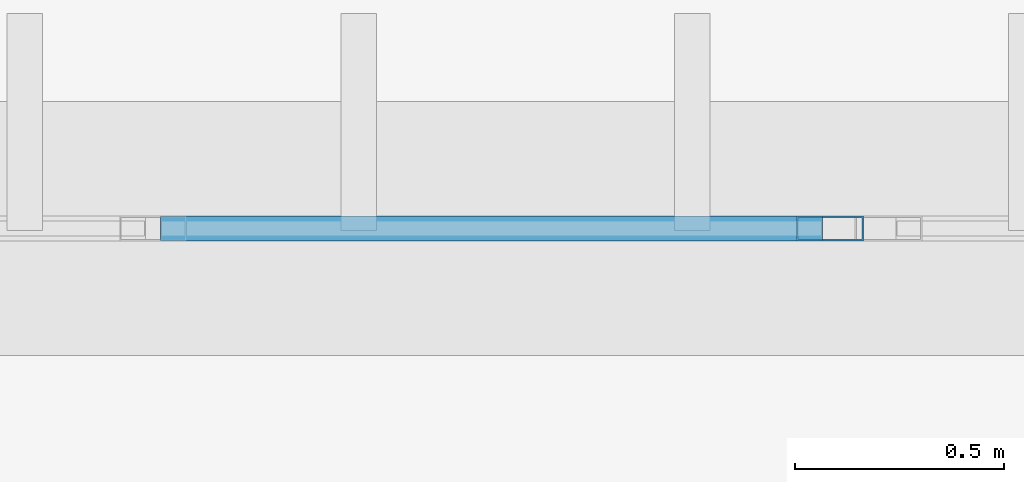
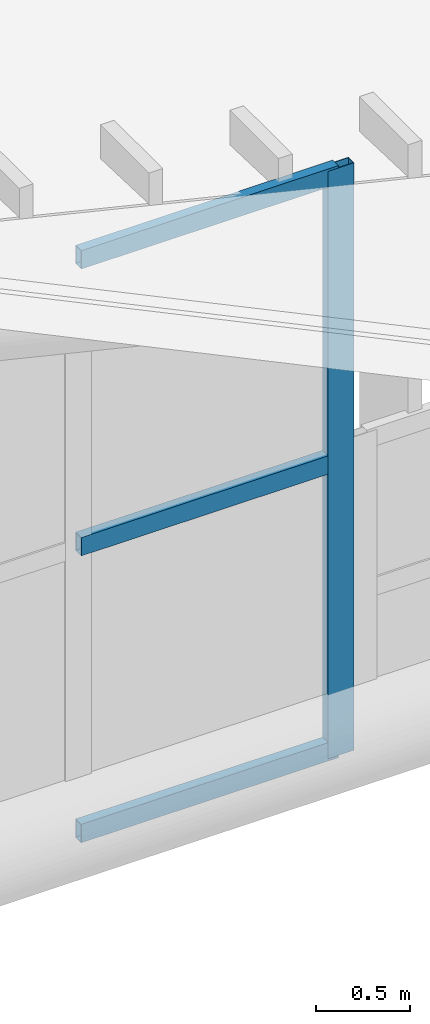
# One storey, part 351 of 397: 4 members, 1 element without a shape of its own.
"""IFC4 building model written with IfcOpenShell, lengths in metres."""

from ifc_helpers import new_model, si_unit, direction, frame, origin, origin_2d, place, context, subcontext, project, spatial, hollow_rectangle, extrude, material, material_profile, profile_set, type_object, element, aggregate, save


model = new_model("IFC4")

# Units and contexts
model_context = context("Model", 3, precision=1e-05, world=origin(), true_north=direction((0.0, 1.0)))
body_context = subcontext(model_context, "Body", "Model", "MODEL_VIEW")
ifc_project = project(units=[si_unit("LENGTHUNIT", "METRE"), si_unit("AREAUNIT", "SQUARE_METRE"), si_unit("VOLUMEUNIT", "CUBIC_METRE"), si_unit("PLANEANGLEUNIT", "RADIAN"), si_unit("MASSUNIT", "GRAM", prefix="KILO")], contexts=[model_context])

# Site, building, storey
site_placement = place(None, origin())
site = spatial("IfcSite", under=ifc_project, at=site_placement, CompositionType="ELEMENT")
building_placement = place(site_placement, origin())
building = spatial("IfcBuilding", under=site, at=building_placement, Name="Qandorah Velis Arena", CompositionType="ELEMENT")
storey_placement = place(building_placement, frame((0.0, 0.0, 27.5)))
storey = spatial("IfcBuildingStorey", under=building, at=storey_placement, Name="RF", CompositionType="ELEMENT", Elevation=27.5)

# Curtain wall, members
ifc_material_1 = material(Name="Solar-control low-E double glazing", Category="glass")
curtain_wall_type = type_object("IfcCurtainWallType", Name="ARC-CW-SYS07", PredefinedType="USERDEFINED", material=ifc_material_1)
curtain_wall_placement = place(storey_placement, origin())
curtain_wall = element("IfcCurtainWall", 1, at=curtain_wall_placement, inside=storey, type_object=curtain_wall_type, Name="Unitised curtain wall CROWN-4-07S1", ObjectType="UNITISED CURTAIN WALL", PredefinedType="USERDEFINED")
ifc_material_2 = material(Name="Champagne-bronze anodized aluminium 6063-T6", Category="aluminium")
ifc_material_profile_1 = material_profile(ifc_material_2, hollow_rectangle(XDim=0.06005859375, YDim=0.159912109375, WallThickness=0.00341796875, at=origin_2d()), Name="ALU MULLION 60x160")
ifc_profile_set_1 = profile_set([ifc_material_profile_1], Name="Champagne-bronze anodized aluminium 6063-T6")
member_type_1 = type_object("IfcMemberType", Name="ARC-CWM-160", PredefinedType="MULLION", material=ifc_profile_set_1)
member_1_placement = place(storey_placement, frame((107.929931640625, 115.199951171875, -0.014892578125), z_axis=(0.0, 0.0, 1.0), x_axis=(0.0, 1.0, 0.0)))
member_1 = element("IfcMember", 2, at=member_1_placement, type_object=member_type_1, Name="CW07 mullion 5", PredefinedType="MULLION", context=body_context, shape_type="SweptSolid", body=[
    extrude(hollow_rectangle(XDim=0.06005859375, YDim=0.159912109375, WallThickness=0.00341796875, at=origin_2d()), origin(), (0.0, 0.0, 1.0), 3.83447265625),
])
ifc_material_profile_2 = material_profile(ifc_material_2, hollow_rectangle(XDim=0.06005859375, YDim=0.1201171875, WallThickness=0.0029296875, at=origin_2d()), Name="ALU TRANSOM 60x120")
ifc_profile_set_2 = profile_set([ifc_material_profile_2], Name="Champagne-bronze anodized aluminium 6063-T6")
member_type_2 = type_object("IfcMemberType", Name="ARC-CWT-120", PredefinedType="USERDEFINED", material=ifc_profile_set_2)
member_2_placement = place(storey_placement, frame((106.325439453125, 115.199951171875, 0.030029296875), z_axis=(1.0, 0.0, 0.0), x_axis=(0.0, 1.0, 0.0)))
member_2 = element("IfcMember", 3, at=member_2_placement, type_object=member_type_2, Name="CW07 transom 4.1", ObjectType="TRANSOM", PredefinedType="USERDEFINED", context=body_context, shape_type="SweptSolid", body=[
    extrude(hollow_rectangle(XDim=0.06005859375, YDim=0.1201171875, WallThickness=0.0029296875, at=origin_2d()), origin(), (0.0, 0.0, 1.0), 1.586669921875),
])
member_3_placement = place(storey_placement, frame((106.325439453125, 115.199951171875, 1.90234375), z_axis=(1.0, 0.0, 0.0), x_axis=(0.0, 1.0, 0.0)))
member_3 = element("IfcMember", 4, at=member_3_placement, type_object=member_type_2, Name="CW07 transom 4.2", ObjectType="TRANSOM", PredefinedType="USERDEFINED", context=body_context, shape_type="SweptSolid", body=[
    extrude(hollow_rectangle(XDim=0.06005859375, YDim=0.1201171875, WallThickness=0.0029296875, at=origin_2d()), origin(), (0.0, 0.0, 1.0), 1.586669921875),
])
member_4_placement = place(storey_placement, frame((106.325439453125, 115.199951171875, 3.774658203125), z_axis=(1.0, 0.0, 0.0), x_axis=(0.0, 1.0, 0.0)))
member_4 = element("IfcMember", 5, at=member_4_placement, type_object=member_type_2, Name="CW07 transom 4.3", ObjectType="TRANSOM", PredefinedType="USERDEFINED", context=body_context, shape_type="SweptSolid", body=[
    extrude(hollow_rectangle(XDim=0.06005859375, YDim=0.1201171875, WallThickness=0.0029296875, at=origin_2d()), origin(), (0.0, 0.0, 1.0), 1.586669921875),
])
aggregate(curtain_wall, [member_1, member_2, member_3, member_4])

save(model, "model.ifc")
